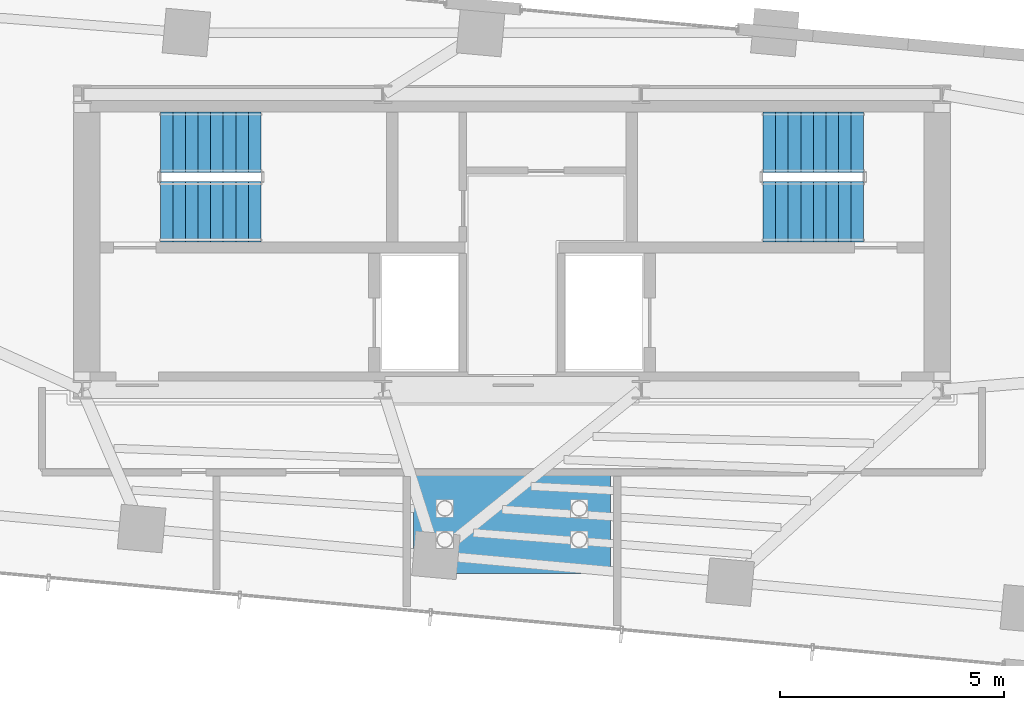
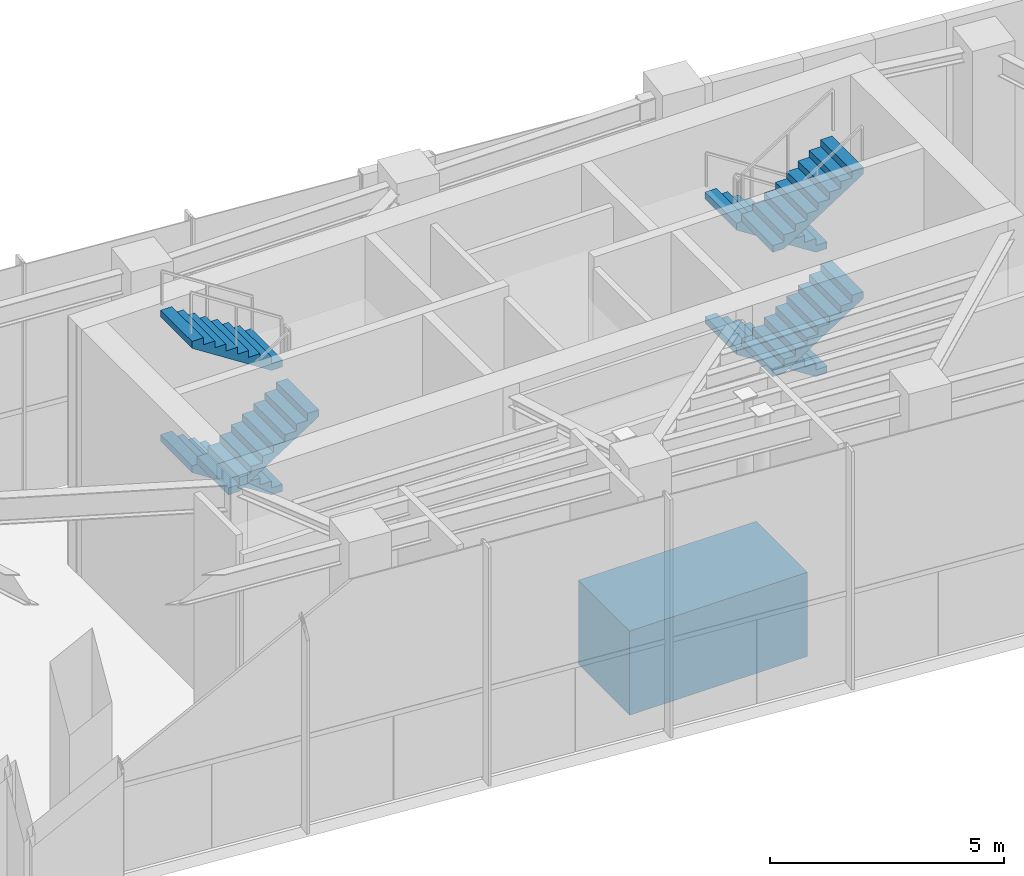
# One storey, part 13 of 14: 7 stair flights, 1 discrete accessory, 2 elements without a shape of their own.
"""IFC4 building model written with IfcOpenShell, lengths in metres."""

import ifcopenshell
import ifcopenshell.guid

model = None  # the IFC model being written
_history = None  # IfcOwnerHistory: only IFC2X3 demands one
_inside = {}  # id of a spatial element -> (the spatial element, [elements in it])
_under = {}  # id of a project, library or spatial element -> (it, [spatial elements below it])
_declared = {}  # id of a project -> (the project, [libraries it declares])
_typed = {}  # id of a type object -> (the type object, [elements of that type])
_made_of = {}  # id of a material, layer set ... -> (it, [elements and type objects made of it])


def new_model(schema):
    """Start an empty IFC model of exactly this schema.

    Asked for "IFC4X3", IfcOpenShell would pick the latest addendum, in which some entities
    have other attributes; the version numbers below select the first issue.
    IFC2X3 requires an IfcOwnerHistory on every rooted entity: one is made here for all.
    """
    global model, _history
    if schema == "IFC4X3":
        model = ifcopenshell.file(schema_version=(4, 3, 0, 0))
    else:
        model = ifcopenshell.file(schema=schema)
    _inside.clear()
    _under.clear()
    _declared.clear()
    _typed.clear()
    _made_of.clear()
    _history = None
    if model.schema == "IFC2X3":
        org = make("IfcOrganization", Name="unknown")
        user = make(
            "IfcPersonAndOrganization",
            ThePerson=make("IfcPerson", FamilyName="unknown"),
            TheOrganization=org,
        )
        app = make(
            "IfcApplication",
            ApplicationDeveloper=org,
            Version="unknown",
            ApplicationFullName="unknown",
            ApplicationIdentifier="unknown",
        )
        _history = make(
            "IfcOwnerHistory",
            OwningUser=user,
            OwningApplication=app,
            ChangeAction="ADDED",
            CreationDate=0,
        )
    return model


def make(cls, **values):
    """One entity of the class cls with the attributes given. An attribute that is None is left unset."""
    return model.create_entity(
        cls, **{name: value for name, value in values.items() if value is not None}
    )


def rooted(cls, **values):
    """An entity with a GlobalId (a new one), such as an element, a storey or a relation."""
    return make(cls, GlobalId=ifcopenshell.guid.new(), OwnerHistory=_history, **values)


def si_unit(unit_type, name, prefix=None):
    """IfcSIUnit, for example si_unit("LENGTHUNIT", "METRE", prefix="MILLI")."""
    return make("IfcSIUnit", UnitType=unit_type, Prefix=prefix, Name=name)


def assignment(units):
    """IfcUnitAssignment: the units of a project."""
    return None if units is None else make("IfcUnitAssignment", Units=units)


def point(xyz):
    """IfcCartesianPoint."""
    return None if xyz is None else make("IfcCartesianPoint", Coordinates=xyz)


def direction(xyz):
    """IfcDirection."""
    return None if xyz is None else make("IfcDirection", DirectionRatios=xyz)


def frame(location, z_axis=None, x_axis=None):
    """IfcAxis2Placement3D, a coordinate frame: its origin and axes. An axis left out is left unset."""
    return make(
        "IfcAxis2Placement3D",
        Location=point(location),
        Axis=direction(z_axis),
        RefDirection=direction(x_axis),
    )


def frame_2d(location, x_axis=None):
    """IfcAxis2Placement2D, a coordinate frame in the plane: its origin and x axis."""
    return make(
        "IfcAxis2Placement2D", Location=point(location), RefDirection=direction(x_axis)
    )


def origin():
    """The frame at (0, 0, 0) with its axes left unset."""
    return frame((0.0, 0.0, 0.0))


def origin_2d():
    """The frame at (0, 0) in the plane with its x axis left unset."""
    return frame_2d((0.0, 0.0))


def place(relative_to, where):
    """IfcLocalPlacement: puts the frame where relative to a parent placement (None: the world)."""
    return make(
        "IfcLocalPlacement", PlacementRelTo=relative_to, RelativePlacement=where
    )


def context(
    kind, dimensions, precision=None, world=None, true_north=None, identifier=None
):
    """IfcGeometricRepresentationContext, for example the 3D "Model" context."""
    return make(
        "IfcGeometricRepresentationContext",
        ContextIdentifier=identifier,
        ContextType=kind,
        CoordinateSpaceDimension=dimensions,
        Precision=precision,
        WorldCoordinateSystem=world,
        TrueNorth=true_north,
    )


def subcontext(parent, identifier, kind, view, scale=None):
    """IfcGeometricRepresentationSubContext, for example "Body" below "Model"."""
    return make(
        "IfcGeometricRepresentationSubContext",
        ContextIdentifier=identifier,
        ContextType=kind,
        ParentContext=parent,
        TargetScale=scale,
        TargetView=view,
    )


def project(units=None, contexts=None):
    """IfcProject with its units and contexts."""
    return rooted(
        "IfcProject",
        Name="project",
        RepresentationContexts=contexts,
        UnitsInContext=assignment(units),
    )


def spatial(cls, under=None, at=None, **own):
    """A site, building, storey or space (cls), placed at a placement, below another one or the project."""
    s = rooted(cls, ObjectPlacement=at, **own)
    if under is not None:
        _under.setdefault(under.id(), (under, []))[1].append(s)
    return s


def polyline(points):
    """IfcPolyline through the points."""
    return make("IfcPolyline", Points=[point(p) for p in points])


def profile(cls, at=None, kind="AREA", **sizes):
    """A parametric profile (cls). Its sizes go by their IFC names, for example OverallWidth=200.0."""
    return make(cls, ProfileType=kind, Position=at, **sizes)


def rectangle(**sizes):
    """IfcRectangleProfileDef."""
    return profile("IfcRectangleProfileDef", **sizes)


def outline(outer, holes=None, kind="AREA"):
    """IfcArbitraryClosedProfileDef: a profile drawn as a closed curve; with holes, ...WithVoids."""
    if holes is None:
        return make("IfcArbitraryClosedProfileDef", ProfileType=kind, OuterCurve=outer)
    return make(
        "IfcArbitraryProfileDefWithVoids",
        ProfileType=kind,
        OuterCurve=outer,
        InnerCurves=holes,
    )


def extrude(swept, where, along, depth):
    """IfcExtrudedAreaSolid: the profile swept, set in the frame where, extruded along a direction by depth."""
    return make(
        "IfcExtrudedAreaSolid",
        SweptArea=swept,
        Position=where,
        ExtrudedDirection=direction(along),
        Depth=depth,
    )


def shape(context_of_items, identifier, shape_type, items):
    """IfcShapeRepresentation: the items that make up one representation, for example the "Body"."""
    return make(
        "IfcShapeRepresentation",
        ContextOfItems=context_of_items,
        RepresentationIdentifier=identifier,
        RepresentationType=shape_type,
        Items=items,
    )


def source(mapping_origin, context_of_items, identifier, shape_type, items):
    """IfcRepresentationMap: a shape defined once, which mapped items show again and again."""
    return make(
        "IfcRepresentationMap",
        MappingOrigin=mapping_origin,
        MappedRepresentation=shape(context_of_items, identifier, shape_type, items),
    )


def transform(
    local_origin,
    x_axis=None,
    y_axis=None,
    z_axis=None,
    scale=None,
    scale2=None,
    scale3=None,
    uniform=True,
):
    """IfcCartesianTransformationOperator3D, or its non-uniform kind. x_axis, y_axis, z_axis: its Axis1, 2, 3."""
    if uniform:
        return make(
            "IfcCartesianTransformationOperator3D",
            Axis1=direction(x_axis),
            Axis2=direction(y_axis),
            LocalOrigin=point(local_origin),
            Scale=scale,
            Axis3=direction(z_axis),
        )
    return make(
        "IfcCartesianTransformationOperator3DnonUniform",
        Axis1=direction(x_axis),
        Axis2=direction(y_axis),
        LocalOrigin=point(local_origin),
        Scale=scale,
        Axis3=direction(z_axis),
        Scale2=scale2,
        Scale3=scale3,
    )


def mapped(mapping_source, mapping_target):
    """IfcMappedItem: shows the shape of a source again, moved by a transform."""
    return make(
        "IfcMappedItem", MappingSource=mapping_source, MappingTarget=mapping_target
    )


def material(Name=None, Category=None):
    """IfcMaterial."""
    return make("IfcMaterial", Name=Name, Category=Category)


def made_of(thing, what):
    """Note that an element or type object is made of a material, layer set ...; save() writes the relation."""
    if what is not None:
        _made_of.setdefault(what.id(), (what, []))[1].append(thing)
    return thing


def type_object(cls, material=None, **own):
    """A type object (cls), such as IfcWallType, which elements share."""
    return made_of(rooted(cls, **own), material)


def type_shapes(of_type, sources):
    """Give a type object the sources (RepresentationMaps) that its elements show as mapped items."""
    of_type.RepresentationMaps = sources


def element(
    cls,
    number,
    at=None,
    inside=None,
    cuts=None,
    type_object=None,
    material=None,
    context=None,
    identifier="Body",
    shape_type=None,
    held_by="IfcProductDefinitionShape",
    body=None,
    shapes=None,
    **own,
):
    """One element of the class cls, such as IfcWall. Its Tag is "e" and its number.

    at: its placement. inside: the storey or other place that contains it. cuts: it is an
    opening in that element (IfcRelVoidsElement). A single representation is given by context,
    identifier, shape_type and body (its items); several are given by shapes. held_by: the class
    of the entity that holds the representations. save() writes the other relations.
    """
    e = rooted(cls, Tag="e%d" % number, ObjectPlacement=at, **own)
    if body is not None:
        shapes = [shape(context, identifier, shape_type, body)]
    if shapes is not None:
        e.Representation = make(held_by, Representations=shapes)
    if inside is not None:
        _inside.setdefault(inside.id(), (inside, []))[1].append(e)
    if cuts is not None:
        rooted(
            "IfcRelVoidsElement", RelatingBuildingElement=cuts, RelatedOpeningElement=e
        )
    if type_object is not None:
        _typed.setdefault(type_object.id(), (type_object, []))[1].append(e)
    return made_of(e, material)


def aggregate(whole, parts):
    """IfcRelAggregates: a whole, such as a stair, and the parts it consists of."""
    return rooted("IfcRelAggregates", RelatingObject=whole, RelatedObjects=parts)


def save(model, path):
    """Write the relations noted so far, then the file.

    IfcRelAggregates (storeys below a building ...), IfcRelContainedInSpatialStructure (elements
    in a storey), IfcRelDefinesByType, IfcRelAssociatesMaterial and IfcRelDeclares: one each for
    every whole, place, type object, material and project.
    """
    for whole, parts in _under.values():
        aggregate(whole, parts)
    for where, things in _inside.values():
        rooted(
            "IfcRelContainedInSpatialStructure",
            RelatedElements=things,
            RelatingStructure=where,
        )
    for kind, things in _typed.values():
        rooted("IfcRelDefinesByType", RelatedObjects=things, RelatingType=kind)
    for what, things in _made_of.values():
        rooted("IfcRelAssociatesMaterial", RelatedObjects=things, RelatingMaterial=what)
    for by, libraries in _declared.values():
        rooted("IfcRelDeclares", RelatingContext=by, RelatedDefinitions=libraries)
    model.write(path)


model = new_model("IFC4")

# Units and contexts
model_context = context("Model", 3, precision=1e-05, world=origin(), true_north=direction((0.0, 1.0)))
body_context = subcontext(model_context, "Body", "Model", "MODEL_VIEW")
ifc_project = project(units=[si_unit("LENGTHUNIT", "METRE"), si_unit("AREAUNIT", "SQUARE_METRE"), si_unit("VOLUMEUNIT", "CUBIC_METRE"), si_unit("PLANEANGLEUNIT", "RADIAN"), si_unit("MASSUNIT", "GRAM", prefix="KILO")], contexts=[model_context])

# Site, building, storey
site_placement = place(None, origin())
site = spatial("IfcSite", under=ifc_project, at=site_placement, CompositionType="ELEMENT")
building_placement = place(site_placement, origin())
building = spatial("IfcBuilding", under=site, at=building_placement, Name="Astriad Promenade Condominiums", CompositionType="ELEMENT")
storey_placement = place(building_placement, frame((0.0, 0.0, 270.800048828125)))
storey = spatial("IfcBuildingStorey", under=building, at=storey_placement, Name="L77", CompositionType="ELEMENT", Elevation=270.800048828125)

# Stair, stair flights
ifc_material_1 = material(Name="Concrete C50/60", Category="concrete")
stair_type = type_object("IfcStairType", Name="STR-CORE-1350", PredefinedType="HALF_TURN_STAIR", material=ifc_material_1)
stair_1_placement = place(storey_placement, origin())
stair_1 = element("IfcStair", 1, at=stair_1_placement, inside=storey, type_object=stair_type, Name="L77 Enclosed Core Exit Stair ST-1", PredefinedType="HALF_TURN_STAIR")
stair_flight_type = type_object("IfcStairFlightType", Name="SFL-CORE-1350", PredefinedType="STRAIGHT", material=ifc_material_1)
shared_shape_1 = source(origin(), body_context, "Body", "SweptSolid", [
    extrude(outline(polyline([(0.0, 0.0), (0.0, 0.1806640625), (0.280029296875, 0.1806640625), (0.280029296875, 0.361083984375), (0.56005859375, 0.361083984375), (0.56005859375, 0.541748046875), (0.840087890625, 0.541748046875), (0.840087890625, 0.72216796875), (1.1201171875, 0.72216796875), (1.1201171875, 0.90283203125), (1.39990234375, 0.90283203125), (1.39990234375, 1.083251953125), (1.679931640625, 1.083251953125), (1.679931640625, 1.263916015625), (1.9599609375, 1.263916015625), (1.9599609375, 1.4443359375), (2.239990234375, 1.4443359375), (2.239990234375, 1.625), (2.239990234375, 1.26611328125), (0.276611328125, 0.0), (0.0, 0.0)])), frame((0.0, 0.675048828125, 0.0), z_axis=(0.0, -1.0, 0.0), x_axis=(1.0, 0.0, 0.0)), (0.0, 0.0, 1.0), 1.35009765625),
])
type_shapes(stair_flight_type, [shared_shape_1])
stair_flight_1_placement = place(storey_placement, frame((30.389892578125, 22.925048828125, 1.625), z_axis=(0.0, 0.0, 1.0), x_axis=(-1.0, 0.0, 0.0)))
stair_flight_1 = element("IfcStairFlight", 2, at=stair_flight_1_placement, type_object=stair_flight_type, Name="ST-1 flight 2", NumberOfRisers=9, NumberOfTreads=8, PredefinedType="STRAIGHT", RiserHeight=0.180555556, TreadLength=0.28, context=body_context, shape_type="MappedRepresentation", body=[
    mapped(shared_shape_1, transform((0.0, 0.0, 0.0), scale=1.0)),
])
stair_flight_2_placement = place(storey_placement, frame((28.14990234375, 21.375, 3.25), z_axis=(0.0, 0.0, 1.0), x_axis=(1.0, 0.0, 0.0)))
stair_flight_2 = element("IfcStairFlight", 3, at=stair_flight_2_placement, type_object=stair_flight_type, Name="ST-1 flight 3", NumberOfRisers=9, NumberOfTreads=8, PredefinedType="STRAIGHT", RiserHeight=0.180555556, TreadLength=0.28, context=body_context, shape_type="MappedRepresentation", body=[
    mapped(shared_shape_1, transform((0.0, 0.0, 0.0), scale=1.0)),
])
stair_flight_3_placement = place(storey_placement, frame((30.389892578125, 22.925048828125, 4.875), z_axis=(0.0, 0.0, 1.0), x_axis=(-1.0, 0.0, 0.0)))
stair_flight_3 = element("IfcStairFlight", 4, at=stair_flight_3_placement, type_object=stair_flight_type, Name="ST-1 flight 4", NumberOfRisers=9, NumberOfTreads=8, PredefinedType="STRAIGHT", RiserHeight=0.180555556, TreadLength=0.28, context=body_context, shape_type="MappedRepresentation", body=[
    mapped(shared_shape_1, transform((0.0, 0.0, 0.0), scale=1.0)),
])
aggregate(stair_1, [stair_flight_1, stair_flight_2, stair_flight_3])

stair_2_placement = place(storey_placement, origin())
stair_2 = element("IfcStair", 5, at=stair_2_placement, inside=storey, type_object=stair_type, Name="L77 Enclosed Core Exit Stair ST-2", PredefinedType="HALF_TURN_STAIR")
stair_flight_4_placement = place(storey_placement, frame((43.85009765625, 22.925048828125, 0.0), z_axis=(0.0, 0.0, 1.0), x_axis=(-1.0, 0.0, 0.0)))
stair_flight_4 = element("IfcStairFlight", 6, at=stair_flight_4_placement, type_object=stair_flight_type, Name="ST-2 flight 1", NumberOfRisers=9, NumberOfTreads=8, PredefinedType="STRAIGHT", RiserHeight=0.180555556, TreadLength=0.28, context=body_context, shape_type="MappedRepresentation", body=[
    mapped(shared_shape_1, transform((0.0, 0.0, 0.0), scale=1.0)),
])
stair_flight_5_placement = place(storey_placement, frame((41.610107421875, 21.375, 1.625), z_axis=(0.0, 0.0, 1.0), x_axis=(1.0, 0.0, 0.0)))
stair_flight_5 = element("IfcStairFlight", 7, at=stair_flight_5_placement, type_object=stair_flight_type, Name="ST-2 flight 2", NumberOfRisers=9, NumberOfTreads=8, PredefinedType="STRAIGHT", RiserHeight=0.180555556, TreadLength=0.28, context=body_context, shape_type="MappedRepresentation", body=[
    mapped(shared_shape_1, transform((0.0, 0.0, 0.0), scale=1.0)),
])
stair_flight_6_placement = place(storey_placement, frame((43.85009765625, 22.925048828125, 3.25), z_axis=(0.0, 0.0, 1.0), x_axis=(-1.0, 0.0, 0.0)))
stair_flight_6 = element("IfcStairFlight", 8, at=stair_flight_6_placement, type_object=stair_flight_type, Name="ST-2 flight 3", NumberOfRisers=9, NumberOfTreads=8, PredefinedType="STRAIGHT", RiserHeight=0.180555556, TreadLength=0.28, context=body_context, shape_type="MappedRepresentation", body=[
    mapped(shared_shape_1, transform((0.0, 0.0, 0.0), scale=1.0)),
])
stair_flight_7_placement = place(storey_placement, frame((41.610107421875, 21.375, 4.875), z_axis=(0.0, 0.0, 1.0), x_axis=(1.0, 0.0, 0.0)))
stair_flight_7 = element("IfcStairFlight", 9, at=stair_flight_7_placement, type_object=stair_flight_type, Name="ST-2 flight 4", NumberOfRisers=9, NumberOfTreads=8, PredefinedType="STRAIGHT", RiserHeight=0.180555556, TreadLength=0.28, context=body_context, shape_type="MappedRepresentation", body=[
    mapped(shared_shape_1, transform((0.0, 0.0, 0.0), scale=1.0)),
])
aggregate(stair_2, [stair_flight_4, stair_flight_5, stair_flight_6, stair_flight_7])

# Discrete accessory
ifc_material_2 = material(Name="Steel ASTM A572 Grade 50", Category="steel")
discrete_accessory_type = type_object("IfcDiscreteAccessoryType", Name="STEEL PENDULUM TUNED MASS DAMPER 380T", PredefinedType="USERDEFINED", material=ifc_material_2)
shared_shape_2 = source(origin(), body_context, "Body", "SweptSolid", [
    extrude(rectangle(XDim=4.39990234375, YDim=2.199951171875, at=origin_2d()), origin(), (0.0, 0.0, 1.0), 2.199951171875),
])
type_shapes(discrete_accessory_type, [shared_shape_2])
discrete_accessory_placement = place(storey_placement, frame((36.0, 14.39990234375, 0.0), z_axis=(0.0, 0.0, 1.0), x_axis=(1.0, 0.0, 0.0)))
element("IfcDiscreteAccessory", 10, at=discrete_accessory_placement, inside=storey, type_object=discrete_accessory_type, Name="Bidirectional Pendulum Tuned Mass Damper 380T Mass Block", ObjectType="Bidirectional Pendulum Tuned Mass Damper 380T Mass Block", PredefinedType="USERDEFINED", context=body_context, shape_type="MappedRepresentation", body=[
    mapped(shared_shape_2, transform((0.0, 0.0, 0.0), scale=1.0)),
])

save(model, "model.ifc")
